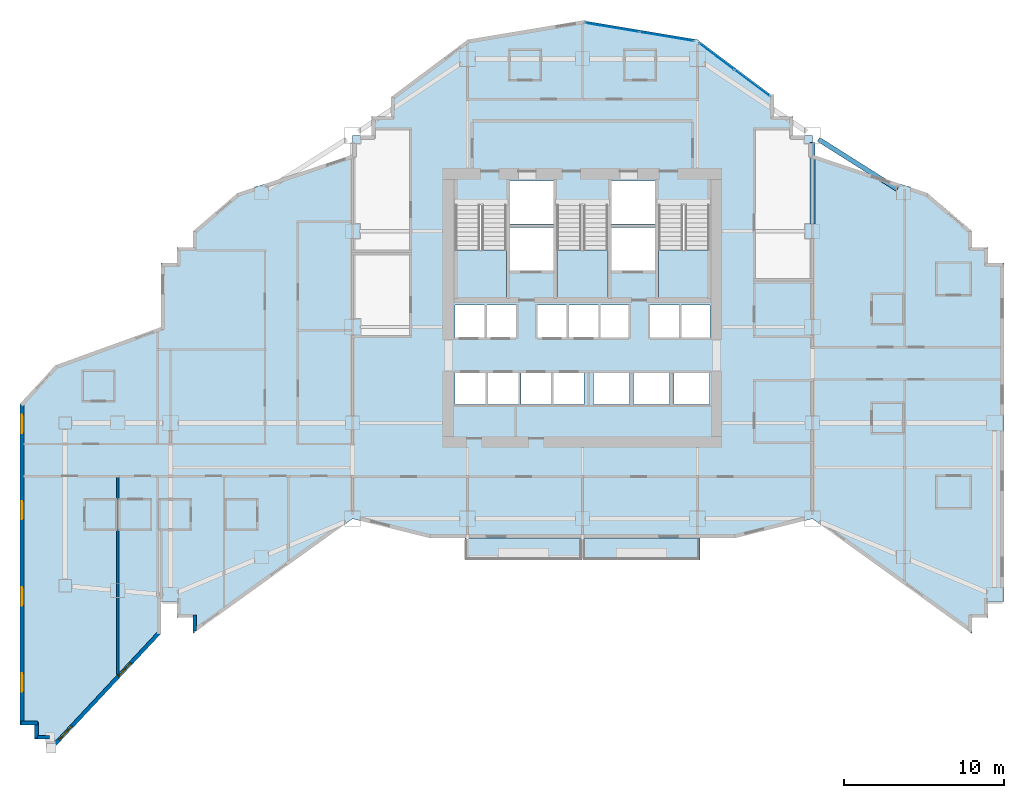
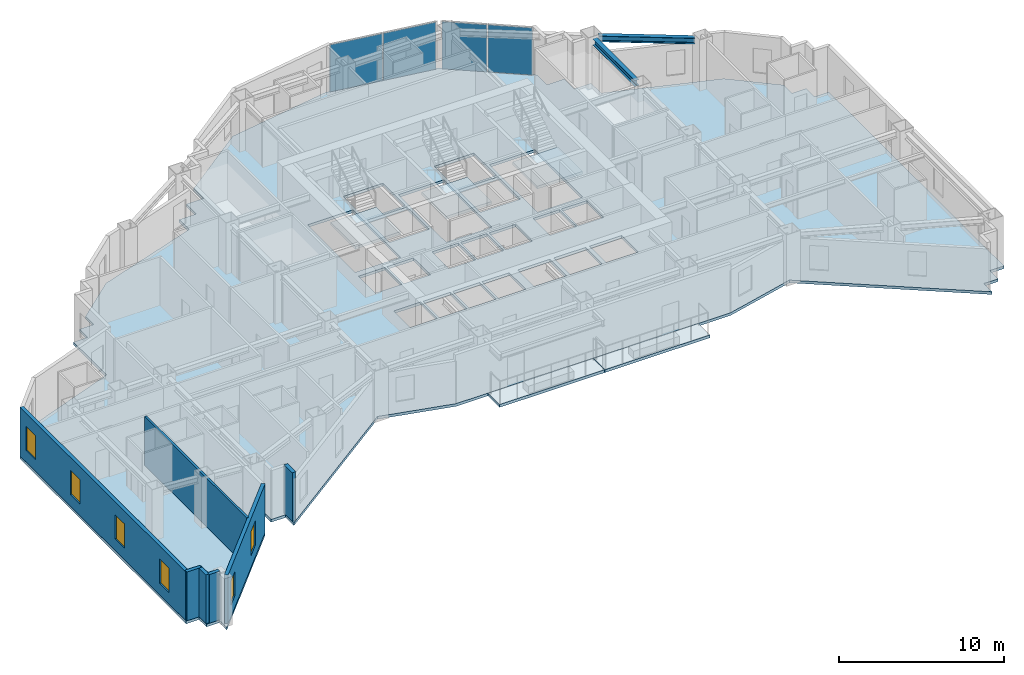
# One storey, part 4 of 14: 7 walls, 6 slabs, 6 windows, 4 plates, 2 beams, 6 openings, 5 elements without a shape of their own.
"""IFC4 building model written with IfcOpenShell, lengths in metres."""

from ifc_helpers import new_model, si_unit, direction, frame, frame_2d, origin, origin_2d, place, context, subcontext, project, spatial, polyline, rectangle, i_section, outline, extrude, material, layer, layer_set, material_profile, profile_set, type_object, element, fill, aggregate, save


model = new_model("IFC4")

# Units and contexts
model_context = context("Model", 3, precision=1e-05, world=origin(), true_north=direction((0.0, 1.0)))
body_context = subcontext(model_context, "Body", "Model", "MODEL_VIEW")
ifc_project = project(units=[si_unit("LENGTHUNIT", "METRE"), si_unit("AREAUNIT", "SQUARE_METRE"), si_unit("VOLUMEUNIT", "CUBIC_METRE"), si_unit("PLANEANGLEUNIT", "RADIAN"), si_unit("MASSUNIT", "GRAM", prefix="KILO")], contexts=[model_context])

# Site, building, storey
site_placement = place(None, origin())
site = spatial("IfcSite", under=ifc_project, at=site_placement, CompositionType="ELEMENT")
building_placement = place(site_placement, origin())
building = spatial("IfcBuilding", under=site, at=building_placement, Name="Haolan Belvedere Tower", CompositionType="ELEMENT")
storey_placement = place(building_placement, frame((0.0, 0.0, 98.39990234375)))
storey = spatial("IfcBuildingStorey", under=building, at=storey_placement, Name="L24", CompositionType="ELEMENT", Elevation=98.39990234375)

# Beams
ifc_material_1 = material(Name="Steel Q355B", Category="steel")
ifc_material_profile = material_profile(ifc_material_1, i_section(OverallWidth=0.300048828125, OverallDepth=0.43994140625, WebThickness=0.010986328125, FlangeThickness=0.01806640625, FilletRadius=0.02392578125, at=origin_2d()), Name="Steel Q355B")
ifc_profile_set = profile_set([ifc_material_profile], Name="Steel Q355B")
beam_type = type_object("IfcBeamType", Name="BM-HM440x300x11x18", PredefinedType="SPANDREL", material=ifc_profile_set)
beam_1_placement = place(storey_placement, frame((52.800048828125, 40.050048828125, 3.380126953125), z_axis=(0.0, 1.0, 0.0), x_axis=(-1.0, 0.0, 0.0)))
element("IfcBeam", 1, at=beam_1_placement, inside=storey, type_object=beam_type, Name="L24 spandrel girder TC-T3-E2-MC-T3-NE", PredefinedType="SPANDREL", context=body_context, shape_type="SweptSolid", body=[
    extrude(i_section(OverallWidth=0.300048828125, OverallDepth=0.43994140625, WebThickness=0.010986328125, FlangeThickness=0.01806640625, FilletRadius=0.02392578125, at=origin_2d()), origin(), (0.0, 0.0, 1.0), 5.099853515625),
])
beam_2_placement = place(storey_placement, frame((53.180419921875, 45.359619140625, 3.380126953125), z_axis=(0.845497840649, -0.533978839898, 0.0), x_axis=(0.533978839898, 0.845497840649, 0.0)))
element("IfcBeam", 2, at=beam_2_placement, inside=storey, type_object=beam_type, Name="L24 spandrel girder MC-T3-NE-TC-T4-N1", PredefinedType="SPANDREL", context=body_context, shape_type="SweptSolid", body=[
    extrude(i_section(OverallWidth=0.300048828125, OverallDepth=0.43994140625, WebThickness=0.010986328125, FlangeThickness=0.01806640625, FilletRadius=0.02392578125, at=origin_2d()), origin(), (0.0, 0.0, 1.0), 5.841796875),
])

# Curtain wall, plates
ifc_material_2 = material(Name="Anodised champagne-silver aluminium 6063-T6 and Low-E glass", Category="aluminium")
ifc_layer_1 = layer(ifc_material_2, 0.155029296875, Name="Anodised champagne-silver aluminium 6063-T6 and Low-E glass")
ifc_layer_set_1 = layer_set([ifc_layer_1], Name="Anodised champagne-silver aluminium 6063-T6 and Low-E glass")
curtain_wall_type = type_object("IfcCurtainWallType", Name="CW-SYS-03", PredefinedType="NOTDEFINED", material=ifc_layer_set_1)
curtain_wall_1_placement = place(storey_placement, origin())
curtain_wall_1 = element("IfcCurtainWall", 3, at=curtain_wall_1_placement, inside=storey, type_object=curtain_wall_type, Name="L24 CW-SYS-03 ribbon curtain wall 26.1", PredefinedType="NOTDEFINED")
ifc_material_3 = material(Name="Double silver Low-E laminated insulating glass", Category="glass")
ifc_layer_2 = layer(ifc_material_3, 0.02392578125, Name="Double silver Low-E laminated insulating glass")
ifc_layer_set_2 = layer_set([ifc_layer_2], Name="Double silver Low-E laminated insulating glass")
plate_type = type_object("IfcPlateType", Name="CW-SYS-03-PNL", PredefinedType="CURTAIN_PANEL", material=ifc_layer_set_2)
plate_1_placement = place(storey_placement, frame((49.0302734375, 48.877197265625, 0.05419921875), z_axis=(0.0, 0.0, 1.0), x_axis=(-0.800004262313, 0.599994316874, 0.0)))
plate_1 = element("IfcPlate", 4, at=plate_1_placement, type_object=plate_type, Name="CW-03 panel 1.1", PredefinedType="CURTAIN_PANEL", context=body_context, shape_type="SweptSolid", body=[
    extrude(rectangle(XDim=2.728271484375, YDim=0.02392578125, at=origin_2d()), origin(), (0.0, 0.0, 1.0), 3.491943359375),
])
plate_2_placement = place(storey_placement, frame((46.80126953125, 50.549072265625, 0.05419921875), z_axis=(0.0, 0.0, 1.0), x_axis=(-0.800004262313, 0.599994316874, 0.0)))
plate_2 = element("IfcPlate", 5, at=plate_2_placement, type_object=plate_type, Name="CW-03 panel 2.1", PredefinedType="CURTAIN_PANEL", context=body_context, shape_type="SweptSolid", body=[
    extrude(rectangle(XDim=2.728271484375, YDim=0.02392578125, at=origin_2d()), origin(), (0.0, 0.0, 1.0), 3.491943359375),
])
aggregate(curtain_wall_1, [plate_1, plate_2])

curtain_wall_2_placement = place(storey_placement, origin())
curtain_wall_2 = element("IfcCurtainWall", 6, at=curtain_wall_2_placement, inside=storey, type_object=curtain_wall_type, Name="L24 CW-SYS-03 ribbon curtain wall 27.1", PredefinedType="NOTDEFINED")
plate_3_placement = place(storey_placement, frame((43.68017578125, 51.79833984375, 0.05419921875), z_axis=(0.0, 0.0, 1.0), x_axis=(-0.9863931483, 0.16440364043, 0.0)))
plate_3 = element("IfcPlate", 7, at=plate_3_placement, type_object=plate_type, Name="CW-03 panel 1.1", PredefinedType="CURTAIN_PANEL", context=body_context, shape_type="SweptSolid", body=[
    extrude(rectangle(XDim=3.39794921875, YDim=0.02392578125, at=origin_2d()), origin(), (0.0, 0.0, 1.0), 3.491943359375),
])
plate_4_placement = place(storey_placement, frame((40.271240234375, 52.366455078125, 0.05419921875), z_axis=(0.0, 0.0, 1.0), x_axis=(-0.9863931483, 0.16440364043, 0.0)))
plate_4 = element("IfcPlate", 8, at=plate_4_placement, type_object=plate_type, Name="CW-03 panel 2.1", PredefinedType="CURTAIN_PANEL", context=body_context, shape_type="SweptSolid", body=[
    extrude(rectangle(XDim=3.39794921875, YDim=0.02392578125, at=origin_2d()), origin(), (0.0, 0.0, 1.0), 3.491943359375),
])
aggregate(curtain_wall_2, [plate_3, plate_4])

# Slabs
ifc_material_4 = material(Name="Concrete C40/50", Category="concrete")
ifc_layer_3 = layer(ifc_material_4, 0.2099609375, Name="Concrete C40/50")
ifc_layer_set_3 = layer_set([ifc_layer_3], Name="Concrete C40/50")
slab_type_1 = type_object("IfcSlabType", Name="SL-BAL-210", PredefinedType="FLOOR", material=ifc_layer_set_3)
slab_1_placement = place(storey_placement, frame((0.0, 0.0, -0.22998046875)))
element("IfcSlab", 9, at=slab_1_placement, inside=storey, type_object=slab_type_1, Name="L24 structural tree-planter balcony slab BAL-L24-S1", PredefinedType="FLOOR", context=body_context, shape_type="SweptSolid", body=[
    extrude(outline(polyline([(31.050048828125, 19.02001953125), (38.3798828125, 19.02001953125), (38.3798828125, 20.39990234375), (31.050048828125, 20.39990234375), (31.050048828125, 19.02001953125)])), origin(), (0.0, 0.0, 1.0), 0.2099609375),
])
slab_2_placement = place(storey_placement, frame((0.0, 0.0, -0.22998046875)))
element("IfcSlab", 10, at=slab_2_placement, inside=storey, type_object=slab_type_1, Name="L24 structural tree-planter balcony slab BAL-L24-S2", PredefinedType="FLOOR", context=body_context, shape_type="SweptSolid", body=[
    extrude(outline(polyline([(38.419921875, 19.02001953125), (45.75, 19.02001953125), (45.75, 20.39990234375), (38.419921875, 20.39990234375), (38.419921875, 19.02001953125)])), origin(), (0.0, 0.0, 1.0), 0.2099609375),
])
ifc_layer_4 = layer(ifc_material_4, 0.199951171875, Name="Concrete C40/50")
ifc_layer_set_4 = layer_set([ifc_layer_4], Name="Concrete C40/50")
slab_type_2 = type_object("IfcSlabType", Name="SL-FLR-200", PredefinedType="FLOOR", material=ifc_layer_set_4)
slab_3_placement = place(storey_placement, frame((0.0, 0.0, -0.199951171875)))
element("IfcSlab", 11, at=slab_3_placement, inside=storey, type_object=slab_type_2, Name="L24 structural floor slab", PredefinedType="FLOOR", context=body_context, shape_type="SweptSolid", body=[
    extrude(outline(polyline([(12.0, 14.39990234375), (12.0, 16.39990234375), (13.0, 16.39990234375), (13.0, 15.39990234375), (14.0, 15.39990234375), (14.0, 14.39990234375), (24.0, 21.60009765625), (28.800048828125, 20.39990234375), (48.0, 20.39990234375), (52.800048828125, 21.60009765625), (62.800048828125, 14.39990234375), (62.800048828125, 15.39990234375), (63.800048828125, 15.39990234375), (63.800048828125, 16.39990234375), (64.800048828125, 16.39990234375), (64.800048828125, 37.60009765625), (63.800048828125, 37.60009765625), (63.800048828125, 38.60009765625), (62.800048828125, 38.60009765625), (62.800048828125, 39.60009765625), (60.0, 42.0), (52.800048828125, 44.39990234375), (52.800048828125, 45.60009765625), (51.60009765625, 45.60009765625), (51.60009765625, 46.800048828125), (50.39990234375, 46.800048828125), (50.39990234375, 48.0), (45.60009765625, 51.60009765625), (38.39990234375, 52.800048828125), (31.199951171875, 51.60009765625), (26.39990234375, 48.0), (26.39990234375, 46.800048828125), (25.199951171875, 46.800048828125), (25.199951171875, 45.60009765625), (24.0, 45.60009765625), (24.0, 44.39990234375), (16.800048828125, 42.0), (14.0, 39.60009765625), (14.0, 38.60009765625), (13.0, 38.60009765625), (13.0, 37.60009765625), (12.0, 37.60009765625), (12.0, 33.60009765625), (5.3798828125, 31.199951171875), (3.179931640625, 28.800048828125), (3.179931640625, 9.291015625), (3.179931640625, 8.69091796875), (4.080078125, 8.69091796875), (4.080078125, 7.791015625), (4.97998046875, 7.791015625), (4.97998046875, 6.89111328125), (12.0, 14.39990234375)]), holes=[polyline([(30.449951171875, 41.22998046875), (30.449951171875, 35.449951171875), (33.6298828125, 35.449951171875), (33.6298828125, 41.22998046875), (30.449951171875, 41.22998046875)]), polyline([(36.81005859375, 41.22998046875), (36.81005859375, 35.449951171875), (39.989990234375, 35.449951171875), (39.989990234375, 41.22998046875), (36.81005859375, 41.22998046875)]), polyline([(43.169921875, 41.22998046875), (43.169921875, 35.449951171875), (46.35009765625, 35.449951171875), (46.35009765625, 41.22998046875), (43.169921875, 41.22998046875)]), polyline([(33.830078125, 40.050048828125), (36.610107421875, 40.050048828125), (36.610107421875, 42.75), (33.830078125, 42.75), (33.830078125, 40.050048828125)]), polyline([(33.830078125, 37.14990234375), (36.610107421875, 37.14990234375), (36.610107421875, 39.85009765625), (33.830078125, 39.85009765625), (33.830078125, 37.14990234375)]), polyline([(40.18994140625, 40.050048828125), (42.969970703125, 40.050048828125), (42.969970703125, 42.75), (40.18994140625, 42.75), (40.18994140625, 40.050048828125)]), polyline([(40.18994140625, 37.14990234375), (42.969970703125, 37.14990234375), (42.969970703125, 39.85009765625), (40.18994140625, 39.85009765625), (40.18994140625, 37.14990234375)]), polyline([(30.419921875, 32.949951171875), (32.27001953125, 32.949951171875), (32.27001953125, 35.0), (30.419921875, 35.0), (30.419921875, 32.949951171875)]), polyline([(32.409912109375, 32.949951171875), (34.260009765625, 32.949951171875), (34.260009765625, 35.0), (32.409912109375, 35.0), (32.409912109375, 32.949951171875)]), polyline([(35.56005859375, 32.949951171875), (37.409912109375, 32.949951171875), (37.409912109375, 35.0), (35.56005859375, 35.0), (35.56005859375, 32.949951171875)]), polyline([(37.550048828125, 32.949951171875), (39.39990234375, 32.949951171875), (39.39990234375, 35.0), (37.550048828125, 35.0), (37.550048828125, 32.949951171875)]), polyline([(39.5400390625, 32.949951171875), (41.389892578125, 32.949951171875), (41.389892578125, 35.0), (39.5400390625, 35.0), (39.5400390625, 32.949951171875)]), polyline([(42.6201171875, 32.949951171875), (44.469970703125, 32.949951171875), (44.469970703125, 35.0), (42.6201171875, 35.0), (42.6201171875, 32.949951171875)]), polyline([(44.580078125, 32.949951171875), (46.3798828125, 32.949951171875), (46.3798828125, 35.0), (44.580078125, 35.0), (44.580078125, 32.949951171875)]), polyline([(30.419921875, 28.75), (32.320068359375, 28.75), (32.320068359375, 30.75), (30.419921875, 30.75), (30.419921875, 28.75)]), polyline([(32.47998046875, 28.75), (34.3798828125, 28.75), (34.3798828125, 30.75), (32.47998046875, 30.75), (32.47998046875, 28.75)]), polyline([(34.5400390625, 28.75), (36.43994140625, 28.75), (36.43994140625, 30.75), (34.5400390625, 30.75), (34.5400390625, 28.75)]), polyline([(36.60009765625, 28.75), (38.5, 28.75), (38.5, 30.75), (36.60009765625, 30.75), (36.60009765625, 28.75)]), polyline([(39.10009765625, 28.75), (41.340087890625, 28.75), (41.340087890625, 30.75), (39.10009765625, 30.75), (39.10009765625, 28.75)]), polyline([(41.610107421875, 28.75), (43.85009765625, 28.75), (43.85009765625, 30.75), (41.610107421875, 30.75), (41.610107421875, 28.75)]), polyline([(44.1201171875, 28.75), (46.360107421875, 28.75), (46.360107421875, 30.75), (44.1201171875, 30.75), (44.1201171875, 28.75)])]), origin(), (0.0, 0.0, 1.0), 0.199951171875),
])

# Stair, slab
stair_type = type_object("IfcStairType", Name="STR-DL-22R-173", PredefinedType="HALF_TURN_STAIR", material=ifc_material_4)
stair_1_placement = place(storey_placement, origin())
stair_1 = element("IfcStair", 12, at=stair_1_placement, inside=storey, type_object=stair_type, Name="L24 Smokeproof Core Exit Stair ST1", PredefinedType="HALF_TURN_STAIR")
ifc_layer_5 = layer(ifc_material_4, 0.199951171875, Name="Concrete C40/50")
ifc_layer_set_5 = layer_set([ifc_layer_5], Name="Concrete C40/50")
slab_type_3 = type_object("IfcSlabType", Name="SL-LAND-200", PredefinedType="LANDING", material=ifc_layer_set_5)
slab_4_placement = place(storey_placement, frame((0.0, 0.0, 1.7001953125)))
slab_4 = element("IfcSlab", 13, at=slab_4_placement, type_object=slab_type_3, Name="ST1 landing 1", PredefinedType="LANDING", context=body_context, shape_type="SweptSolid", body=[
    extrude(outline(polyline([(30.449951171875, 38.429931640625), (30.449951171875, 35.449951171875), (33.6298828125, 35.449951171875), (33.6298828125, 38.429931640625), (30.449951171875, 38.429931640625)])), origin(), (0.0, 0.0, 1.0), 0.199951171875),
])
aggregate(stair_1, [slab_4])

stair_2_placement = place(storey_placement, origin())
stair_2 = element("IfcStair", 14, at=stair_2_placement, inside=storey, type_object=stair_type, Name="L24 Smokeproof Core Exit Stair ST3", PredefinedType="HALF_TURN_STAIR")
slab_5_placement = place(storey_placement, frame((0.0, 0.0, 1.7001953125)))
slab_5 = element("IfcSlab", 15, at=slab_5_placement, type_object=slab_type_3, Name="ST3 landing 1", PredefinedType="LANDING", context=body_context, shape_type="SweptSolid", body=[
    extrude(outline(polyline([(36.81005859375, 38.429931640625), (36.81005859375, 35.449951171875), (39.989990234375, 35.449951171875), (39.989990234375, 38.429931640625), (36.81005859375, 38.429931640625)])), origin(), (0.0, 0.0, 1.0), 0.199951171875),
])
aggregate(stair_2, [slab_5])

stair_3_placement = place(storey_placement, origin())
stair_3 = element("IfcStair", 16, at=stair_3_placement, inside=storey, type_object=stair_type, Name="L24 Smokeproof Core Exit Stair ST2", PredefinedType="HALF_TURN_STAIR")
slab_6_placement = place(storey_placement, frame((0.0, 0.0, 1.7001953125)))
slab_6 = element("IfcSlab", 17, at=slab_6_placement, type_object=slab_type_3, Name="ST2 landing 1", PredefinedType="LANDING", context=body_context, shape_type="SweptSolid", body=[
    extrude(outline(polyline([(43.169921875, 38.429931640625), (43.169921875, 35.449951171875), (46.35009765625, 35.449951171875), (46.35009765625, 38.429931640625), (43.169921875, 38.429931640625)])), origin(), (0.0, 0.0, 1.0), 0.199951171875),
])
aggregate(stair_3, [slab_6])

# Wall
ifc_material_5 = material(Name="Precast concrete C40/50", Category="concrete")
ifc_layer_6 = layer(ifc_material_5, 0.239990234375, Name="Precast concrete C40/50")
ifc_layer_set_6 = layer_set([ifc_layer_6], Name="Precast concrete C40/50")
wall_type_1 = type_object("IfcWallType", Name="WL-EXT-240", PredefinedType="SOLIDWALL", material=ifc_layer_set_6)
wall_1_placement = place(storey_placement, frame((14.1201171875, 15.574951171875, 0.0), z_axis=(0.0, 0.0, 1.0), x_axis=(0.0, -1.0, 0.0)))
element("IfcWall", 18, at=wall_1_placement, inside=storey, type_object=wall_type_1, Name="L24 pale-metal exterior spandrel wall 4.1", PredefinedType="SOLIDWALL", context=body_context, shape_type="SweptSolid", body=[
    extrude(rectangle(XDim=0.99560546875, YDim=0.239990234375, at=frame_2d((0.497802734375, 0.0))), origin(), (0.0, 0.0, 1.0), 3.60009765625),
])

# Wall, openings, windows
wall_2_placement = place(storey_placement, frame((3.300048828125, 28.808349609375, 0.0), z_axis=(0.0, 0.0, 1.0), x_axis=(0.0, -1.0, 0.0)))
wall_2 = element("IfcWall", 19, at=wall_2_placement, inside=storey, type_object=wall_type_1, Name="L24 pale-metal exterior spandrel wall 44.1", PredefinedType="SOLIDWALL", context=body_context, shape_type="SweptSolid", body=[
    extrude(rectangle(XDim=20.05224609375, YDim=0.239990234375, at=frame_2d((10.026123046875, 0.0))), origin(), (0.0, 0.0, 1.0), 3.60009765625),
])
opening_1_placement = place(wall_2_placement, frame((0.699951171875, 0.0, 0.85009765625)))
opening_1 = element("IfcOpeningElement", 20, at=opening_1_placement, cuts=wall_2, Name="Opening W-02", PredefinedType="OPENING", context=body_context, shape_type="SweptSolid", body=[
    extrude(rectangle(XDim=1.14990234375, YDim=1.800048828125, at=frame_2d((0.574951171875, 0.89990234375))), frame((0.0, 0.1298828125, 0.0), z_axis=(0.0, -1.0, 0.0), x_axis=(1.0, 0.0, 0.0)), (0.0, 0.0, 1.0), 0.260009765625),
])
opening_2_placement = place(wall_2_placement, frame((6.10009765625, 0.0, 0.85009765625)))
opening_2 = element("IfcOpeningElement", 21, at=opening_2_placement, cuts=wall_2, Name="Opening W-02", PredefinedType="OPENING", context=body_context, shape_type="SweptSolid", body=[
    extrude(rectangle(XDim=1.14990234375, YDim=1.800048828125, at=frame_2d((0.574951171875, 0.89990234375))), frame((0.0, 0.1298828125, 0.0), z_axis=(0.0, -1.0, 0.0), x_axis=(1.0, 0.0, 0.0)), (0.0, 0.0, 1.0), 0.260009765625),
])
opening_3_placement = place(wall_2_placement, frame((11.5, 0.0, 0.85009765625)))
opening_3 = element("IfcOpeningElement", 22, at=opening_3_placement, cuts=wall_2, Name="Opening W-02", PredefinedType="OPENING", context=body_context, shape_type="SweptSolid", body=[
    extrude(rectangle(XDim=1.14990234375, YDim=1.800048828125, at=frame_2d((0.574951171875, 0.89990234375))), frame((0.0, 0.1298828125, 0.0), z_axis=(0.0, -1.0, 0.0), x_axis=(1.0, 0.0, 0.0)), (0.0, 0.0, 1.0), 0.260009765625),
])
opening_4_placement = place(wall_2_placement, frame((16.89990234375, 0.0, 0.85009765625)))
opening_4 = element("IfcOpeningElement", 23, at=opening_4_placement, cuts=wall_2, Name="Opening W-02", PredefinedType="OPENING", context=body_context, shape_type="SweptSolid", body=[
    extrude(rectangle(XDim=1.14990234375, YDim=1.800048828125, at=frame_2d((0.574951171875, 0.89990234375))), frame((0.0, 0.1298828125, 0.0), z_axis=(0.0, -1.0, 0.0), x_axis=(1.0, 0.0, 0.0)), (0.0, 0.0, 1.0), 0.260009765625),
])
ifc_material_6 = material(Name="Anodised aluminium 6063-T6 and Low-E glass", Category="aluminium")
window_type = type_object("IfcWindowType", Name="WN-DECO-Z2", PartitioningType="SINGLE_PANEL", PredefinedType="WINDOW", material=ifc_material_6)
window_1_placement = place(opening_1_placement, origin())
window_1 = element("IfcWindow", 24, at=window_1_placement, inside=storey, type_object=window_type, Name="L24 Art Deco chevron window 1", OverallHeight=1.800048828125, OverallWidth=1.14990234375, PartitioningType="SINGLE_PANEL", PredefinedType="WINDOW", context=body_context, shape_type="SweptSolid", body=[
    extrude(rectangle(XDim=1.14990234375, YDim=1.800048828125, at=frame_2d((0.574951171875, 0.89990234375))), frame((0.0, 0.030029296875, 0.0), z_axis=(0.0, -1.0, 0.0), x_axis=(1.0, 0.0, 0.0)), (0.0, 0.0, 1.0), 0.06005859375),
])
fill(opening_1, window_1)
window_2_placement = place(opening_2_placement, origin())
window_2 = element("IfcWindow", 25, at=window_2_placement, inside=storey, type_object=window_type, Name="L24 Art Deco chevron window 2", OverallHeight=1.800048828125, OverallWidth=1.14990234375, PartitioningType="SINGLE_PANEL", PredefinedType="WINDOW", context=body_context, shape_type="SweptSolid", body=[
    extrude(rectangle(XDim=1.14990234375, YDim=1.800048828125, at=frame_2d((0.574951171875, 0.89990234375))), frame((0.0, 0.030029296875, 0.0), z_axis=(0.0, -1.0, 0.0), x_axis=(1.0, 0.0, 0.0)), (0.0, 0.0, 1.0), 0.06005859375),
])
fill(opening_2, window_2)
window_3_placement = place(opening_3_placement, origin())
window_3 = element("IfcWindow", 26, at=window_3_placement, inside=storey, type_object=window_type, Name="L24 Art Deco chevron window 3", OverallHeight=1.800048828125, OverallWidth=1.14990234375, PartitioningType="SINGLE_PANEL", PredefinedType="WINDOW", context=body_context, shape_type="SweptSolid", body=[
    extrude(rectangle(XDim=1.14990234375, YDim=1.800048828125, at=frame_2d((0.574951171875, 0.89990234375))), frame((0.0, 0.030029296875, 0.0), z_axis=(0.0, -1.0, 0.0), x_axis=(1.0, 0.0, 0.0)), (0.0, 0.0, 1.0), 0.06005859375),
])
fill(opening_3, window_3)
window_4_placement = place(opening_4_placement, origin())
window_4 = element("IfcWindow", 27, at=window_4_placement, inside=storey, type_object=window_type, Name="L24 Art Deco chevron window 4", OverallHeight=1.800048828125, OverallWidth=1.14990234375, PartitioningType="SINGLE_PANEL", PredefinedType="WINDOW", context=body_context, shape_type="SweptSolid", body=[
    extrude(rectangle(XDim=1.14990234375, YDim=1.800048828125, at=frame_2d((0.574951171875, 0.89990234375))), frame((0.0, 0.030029296875, 0.0), z_axis=(0.0, -1.0, 0.0), x_axis=(1.0, 0.0, 0.0)), (0.0, 0.0, 1.0), 0.06005859375),
])
fill(opening_4, window_4)

# Walls
wall_3_placement = place(storey_placement, frame((3.2451171875, 8.81103515625, 0.0), z_axis=(0.0, 0.0, 1.0), x_axis=(1.0, 0.0, 0.0)))
element("IfcWall", 28, at=wall_3_placement, inside=storey, type_object=wall_type_1, Name="L24 pale-metal exterior spandrel wall 45.1", PredefinedType="SOLIDWALL", context=body_context, shape_type="SweptSolid", body=[
    extrude(rectangle(XDim=1.009765625, YDim=0.239990234375, at=frame_2d((0.5048828125, 0.0))), origin(), (0.0, 0.0, 1.0), 3.60009765625),
])
wall_4_placement = place(storey_placement, frame((4.199951171875, 8.865966796875, 0.0), z_axis=(0.0, 0.0, 1.0), x_axis=(0.0, -1.0, 0.0)))
element("IfcWall", 29, at=wall_4_placement, inside=storey, type_object=wall_type_1, Name="L24 pale-metal exterior spandrel wall 46.1", PredefinedType="SOLIDWALL", context=body_context, shape_type="SweptSolid", body=[
    extrude(rectangle(XDim=1.010009765625, YDim=0.239990234375, at=frame_2d((0.5048828125, 0.0))), origin(), (0.0, 0.0, 1.0), 3.60009765625),
])
wall_5_placement = place(storey_placement, frame((4.280029296875, 7.910888671875, 0.0), z_axis=(0.0, 0.0, 1.0), x_axis=(1.0, 0.0, 0.0)))
element("IfcWall", 30, at=wall_5_placement, inside=storey, type_object=wall_type_1, Name="L24 pale-metal exterior spandrel wall 47.1", PredefinedType="SOLIDWALL", context=body_context, shape_type="SweptSolid", body=[
    extrude(rectangle(XDim=0.73486328125, YDim=0.239990234375, at=frame_2d((0.367431640625, 0.0))), origin(), (0.0, 0.0, 1.0), 3.60009765625),
])

# Wall, openings, windows
wall_6_placement = place(storey_placement, frame((5.157958984375, 7.257080078125, 0.0), z_axis=(0.0, 0.0, 1.0), x_axis=(0.68291649943, 0.730496444075, 0.0)))
wall_6 = element("IfcWall", 31, at=wall_6_placement, inside=storey, type_object=wall_type_1, Name="L24 pale-metal exterior spandrel wall 49.1", PredefinedType="SOLIDWALL", context=body_context, shape_type="SweptSolid", body=[
    extrude(rectangle(XDim=9.89794921875, YDim=0.239990234375, at=frame_2d((4.948974609375, 0.0))), origin(), (0.0, 0.0, 1.0), 3.60009765625),
])
opening_5_placement = place(wall_6_placement, frame((0.699951171875, 0.0, 0.85009765625)))
opening_5 = element("IfcOpeningElement", 32, at=opening_5_placement, cuts=wall_6, Name="Opening W-02", PredefinedType="OPENING", context=body_context, shape_type="SweptSolid", body=[
    extrude(rectangle(XDim=1.14990234375, YDim=1.800048828125, at=frame_2d((0.574951171875, 0.89990234375))), frame((0.0, 0.1298828125, 0.0), z_axis=(0.0, -1.0, 0.0), x_axis=(1.0, 0.0, 0.0)), (0.0, 0.0, 1.0), 0.260009765625),
])
opening_6_placement = place(wall_6_placement, frame((6.10009765625, 0.0, 0.85009765625)))
opening_6 = element("IfcOpeningElement", 33, at=opening_6_placement, cuts=wall_6, Name="Opening W-02", PredefinedType="OPENING", context=body_context, shape_type="SweptSolid", body=[
    extrude(rectangle(XDim=1.14990234375, YDim=1.800048828125, at=frame_2d((0.574951171875, 0.89990234375))), frame((0.0, 0.1298828125, 0.0), z_axis=(0.0, -1.0, 0.0), x_axis=(1.0, 0.0, 0.0)), (0.0, 0.0, 1.0), 0.260009765625),
])
window_5_placement = place(opening_5_placement, origin())
window_5 = element("IfcWindow", 34, at=window_5_placement, inside=storey, type_object=window_type, Name="L24 Art Deco chevron window 1", OverallHeight=1.800048828125, OverallWidth=1.14990234375, PartitioningType="SINGLE_PANEL", PredefinedType="WINDOW", context=body_context, shape_type="SweptSolid", body=[
    extrude(rectangle(XDim=1.14990234375, YDim=1.800048828125, at=frame_2d((0.574951171875, 0.89990234375))), frame((0.0, 0.030029296875, 0.0), z_axis=(0.0, -1.0, 0.0), x_axis=(1.0, 0.0, 0.0)), (0.0, 0.0, 1.0), 0.06005859375),
])
fill(opening_5, window_5)
window_6_placement = place(opening_6_placement, origin())
window_6 = element("IfcWindow", 35, at=window_6_placement, inside=storey, type_object=window_type, Name="L24 Art Deco chevron window 2", OverallHeight=1.800048828125, OverallWidth=1.14990234375, PartitioningType="SINGLE_PANEL", PredefinedType="WINDOW", context=body_context, shape_type="SweptSolid", body=[
    extrude(rectangle(XDim=1.14990234375, YDim=1.800048828125, at=frame_2d((0.574951171875, 0.89990234375))), frame((0.0, 0.030029296875, 0.0), z_axis=(0.0, -1.0, 0.0), x_axis=(1.0, 0.0, 0.0)), (0.0, 0.0, 1.0), 0.06005859375),
])
fill(opening_6, window_6)

# Wall
ifc_material_7 = material(Name="Double gypsum acoustic stud partition", Category="masonry")
ifc_layer_7 = layer(ifc_material_7, 0.14990234375, Name="Double gypsum acoustic stud partition")
ifc_layer_set_7 = layer_set([ifc_layer_7], Name="Double gypsum acoustic stud partition")
wall_type_2 = type_object("IfcWallType", Name="WL-PART-150", PredefinedType="PARTITIONING", material=ifc_layer_set_7)
wall_7_placement = place(storey_placement, frame((9.300048828125, 11.84130859375, 0.0), z_axis=(0.0, 0.0, 1.0), x_axis=(0.0, 1.0, 0.0)))
element("IfcWall", 36, at=wall_7_placement, inside=storey, type_object=wall_type_2, Name="L24 interior partition IW-L24-T1S1-E", PredefinedType="PARTITIONING", context=body_context, shape_type="SweptSolid", body=[
    extrude(rectangle(XDim=12.36865234375, YDim=0.14990234375, at=frame_2d((6.184326171875, 0.0))), origin(), (0.0, 0.0, 1.0), 3.60009765625),
])

save(model, "model.ifc")
